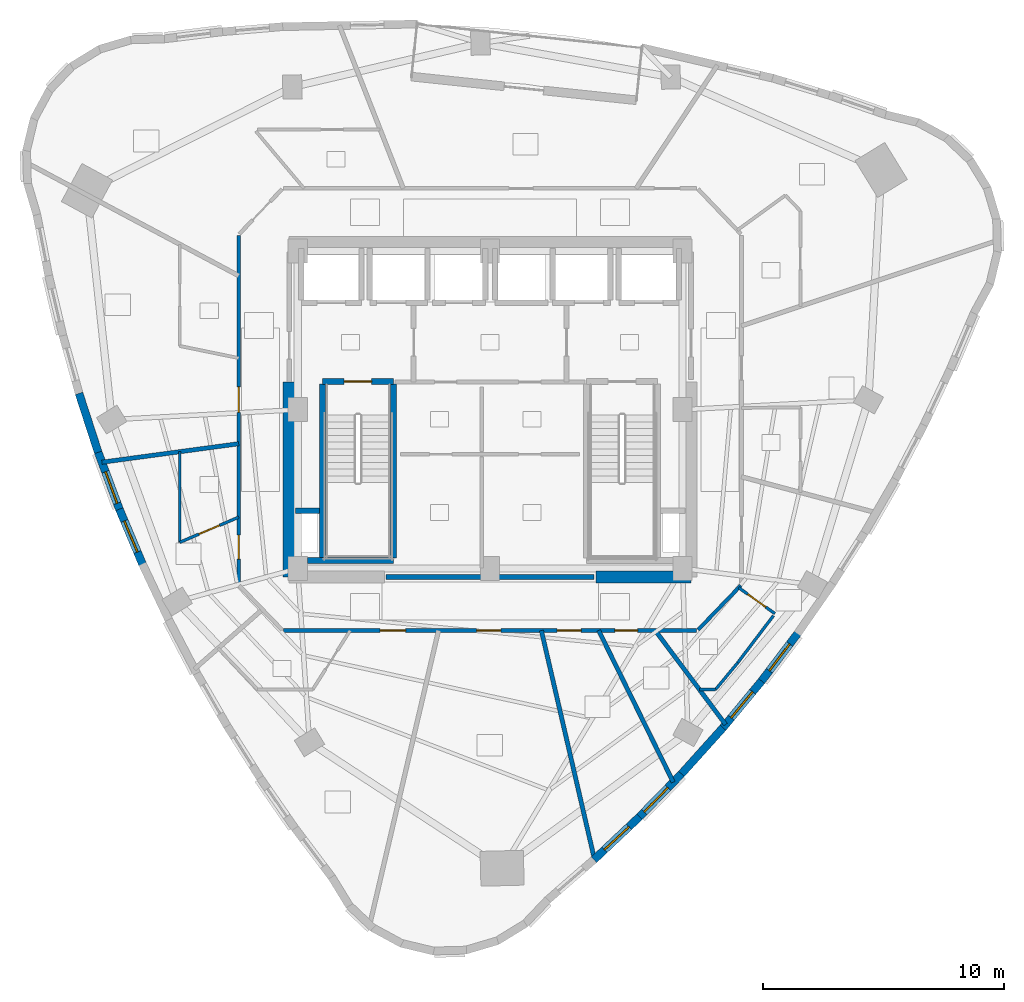
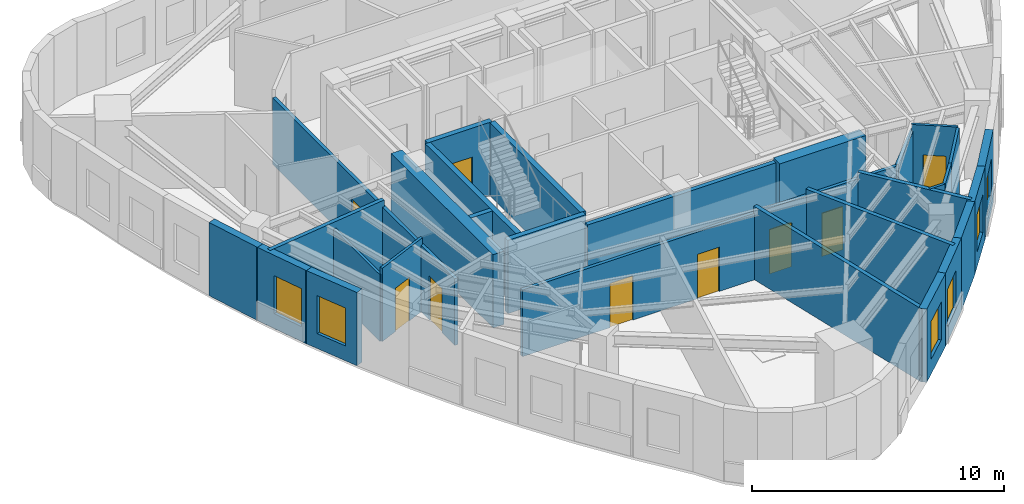
# One storey, part 5 of 11: 29 walls, 9 doors, 6 windows, 15 openings.
"""IFC4 building model written with IfcOpenShell, lengths in metres."""

from ifc_helpers import new_model, si_unit, direction, frame, frame_2d, origin, place, context, subcontext, project, spatial, rectangle, extrude, material, layer, layer_set, type_object, element, fill, save


model = new_model("IFC4")

# Units and contexts
model_context = context("Model", 3, precision=1e-05, world=origin(), true_north=direction((0.0, 1.0)))
body_context = subcontext(model_context, "Body", "Model", "MODEL_VIEW")
ifc_project = project(units=[si_unit("LENGTHUNIT", "METRE"), si_unit("AREAUNIT", "SQUARE_METRE"), si_unit("VOLUMEUNIT", "CUBIC_METRE"), si_unit("PLANEANGLEUNIT", "RADIAN"), si_unit("MASSUNIT", "GRAM", prefix="KILO")], contexts=[model_context])

# Site, building, storey
site_placement = place(None, origin())
site = spatial("IfcSite", under=ifc_project, at=site_placement, CompositionType="ELEMENT")
building_placement = place(site_placement, origin())
building = spatial("IfcBuilding", under=site, at=building_placement, Name="Ndelora Gate Hotel", CompositionType="ELEMENT")
storey_placement = place(building_placement, frame((0.0, 0.0, 186.550048828125)))
storey = spatial("IfcBuildingStorey", under=building, at=storey_placement, Name="L46", CompositionType="ELEMENT", Elevation=186.550048828125)

# Walls
ifc_material_1 = material(Name="Acoustic Double-Stud Gypsum Assembly", Category="gypsum")
ifc_layer_1 = layer(ifc_material_1, 0.179931640625)
ifc_layer_set_1 = layer_set([ifc_layer_1], Name="Acoustic Double-Stud Gypsum Assembly")
wall_type_1 = type_object("IfcWallType", Name="WL-ACOUST-180", PredefinedType="PARTITIONING", material=ifc_layer_set_1)
wall_1_placement = place(storey_placement, frame((6.866943359375, -9.179931640625, 0.0), z_axis=(0.0, 0.0, 1.0), x_axis=(0.598991453889, -0.800755417195, 0.0)))
element("IfcWall", 1, at=wall_1_placement, inside=storey, type_object=wall_type_1, Name="L46 Interior Wall IW-3", PredefinedType="PARTITIONING", context=body_context, shape_type="SweptSolid", body=[
    extrude(rectangle(XDim=4.882568359375, YDim=0.179931640625, at=frame_2d((2.44140625, 0.0))), origin(), (0.0, 0.0, 1.0), 3.550048828125),
])
wall_2_placement = place(storey_placement, frame((-10.449951171875, -1.41455078125, 0.0), z_axis=(0.0, 0.0, 1.0), x_axis=(-0.990963730959, -0.13413010074, 0.0)))
element("IfcWall", 2, at=wall_2_placement, inside=storey, type_object=wall_type_1, Name="L46 Interior Wall IW-3", PredefinedType="PARTITIONING", context=body_context, shape_type="SweptSolid", body=[
    extrude(rectangle(XDim=5.74072265625, YDim=0.179931640625, at=frame_2d((2.870361328125, 0.0))), origin(), (0.0, 0.0, 1.0), 3.550048828125),
])
wall_3_placement = place(storey_placement, frame((2.131591796875, -9.179931640625, 0.0), z_axis=(0.0, 0.0, 1.0), x_axis=(0.226196232917, -0.974081754379, 0.0)))
element("IfcWall", 3, at=wall_3_placement, inside=storey, type_object=wall_type_1, Name="L46 Interior Wall IW-3", PredefinedType="PARTITIONING", context=body_context, shape_type="SweptSolid", body=[
    extrude(rectangle(XDim=9.762451171875, YDim=0.179931640625, at=frame_2d((4.88134765625, 0.0))), origin(), (0.0, 0.0, 1.0), 3.550048828125),
])
wall_4_placement = place(storey_placement, frame((4.51416015625, -9.179931640625, 0.0), z_axis=(0.0, 0.0, 1.0), x_axis=(0.441285267702, -0.897366877319, 0.0)))
element("IfcWall", 4, at=wall_4_placement, inside=storey, type_object=wall_type_1, Name="L46 Interior Wall IW-3", PredefinedType="PARTITIONING", context=body_context, shape_type="SweptSolid", body=[
    extrude(rectangle(XDim=7.029052734375, YDim=0.179931640625, at=frame_2d((3.5146484375, 0.0))), origin(), (0.0, 0.0, 1.0), 3.550048828125),
])
ifc_material_2 = material(Name="Clay Brick Masonry", Category="masonry")
ifc_layer_2 = layer(ifc_material_2, 0.330078125)
ifc_layer_set_2 = layer_set([ifc_layer_2], Name="Clay Brick Masonry")
wall_type_2 = type_object("IfcWallType", Name="WL-BRICK-330", PredefinedType="SOLIDWALL", material=ifc_layer_set_2)
wall_5_placement = place(storey_placement, frame((-16.292724609375, -1.77392578125, 0.0), z_axis=(0.0, 0.0, 1.0), x_axis=(-0.309148141518, 0.951013894008, 0.0)))
element("IfcWall", 5, at=wall_5_placement, inside=storey, type_object=wall_type_2, Name="L46 Tower Brick Pier-and-Spandrel Wall TWR-12", PredefinedType="SOLIDWALL", context=body_context, shape_type="SweptSolid", body=[
    extrude(rectangle(XDim=2.579345703125, YDim=0.330078125, at=frame_2d((1.28955078125, 0.0))), origin(), (0.0, 0.0, 1.0), 3.550048828125),
])

# Wall, opening, window
wall_6_placement = place(storey_placement, frame((-15.4130859375, -4.135986328125, 0.0), z_axis=(0.0, 0.0, 1.0), x_axis=(-0.348582368666, 0.937278150954, 0.0)))
wall_6 = element("IfcWall", 6, at=wall_6_placement, inside=storey, type_object=wall_type_2, Name="L46 Tower Brick Pier-and-Spandrel Wall TWR-13", PredefinedType="SOLIDWALL", context=body_context, shape_type="SweptSolid", body=[
    extrude(rectangle(XDim=2.5703125, YDim=0.330078125, at=frame_2d((1.28515625, 0.0))), origin(), (0.0, 0.0, 1.0), 3.550048828125),
])
opening_1_placement = place(wall_6_placement, frame((0.260009765625, 0.0, 0.719970703125)))
opening_1 = element("IfcOpeningElement", 7, at=opening_1_placement, cuts=wall_6, Name="Opening W02", PredefinedType="OPENING", context=body_context, shape_type="SweptSolid", body=[
    extrude(rectangle(XDim=1.39990234375, YDim=1.840087890625, at=frame_2d((0.699951171875, 0.919921875))), frame((0.0, 0.175048828125, 0.0), z_axis=(0.0, -1.0, 0.0), x_axis=(1.0, 0.0, 0.0)), (0.0, 0.0, 1.0), 0.35009765625),
])
ifc_material_3 = material(Name="Insulated Low-E Double Glazing in Bronze Aluminium Frame", Category="aluminium")
window_type = type_object("IfcWindowType", Name="WN-DEEP-1400", PartitioningType="SINGLE_PANEL", PredefinedType="WINDOW", material=ifc_material_3)
window_1_placement = place(opening_1_placement, origin())
window_1 = element("IfcWindow", 8, at=window_1_placement, inside=storey, type_object=window_type, Name="L46 Deep-Set Brick-Pier Window W02", OverallHeight=1.840087890625, OverallWidth=1.39990234375, PartitioningType="SINGLE_PANEL", PredefinedType="WINDOW", context=body_context, shape_type="SweptSolid", body=[
    extrude(rectangle(XDim=1.39990234375, YDim=1.840087890625, at=frame_2d((0.699951171875, 0.919921875))), frame((0.0, 0.030029296875, 0.0), z_axis=(0.0, -1.0, 0.0), x_axis=(1.0, 0.0, 0.0)), (0.0, 0.0, 1.0), 0.06005859375),
])
fill(opening_1, window_1)

wall_7_placement = place(storey_placement, frame((-14.437255859375, -6.455078125, 0.0), z_axis=(0.0, 0.0, 1.0), x_axis=(-0.387525243304, 0.921859092162, 0.0)))
wall_7 = element("IfcWall", 9, at=wall_7_placement, inside=storey, type_object=wall_type_2, Name="L46 Tower Brick Pier-and-Spandrel Wall TWR-14", PredefinedType="SOLIDWALL", context=body_context, shape_type="SweptSolid", body=[
    extrude(rectangle(XDim=2.56591796875, YDim=0.330078125, at=frame_2d((1.282958984375, 0.0))), origin(), (0.0, 0.0, 1.0), 3.550048828125),
])
opening_2_placement = place(wall_7_placement, frame((0.5830078125, 0.0, 0.719970703125)))
opening_2 = element("IfcOpeningElement", 10, at=opening_2_placement, cuts=wall_7, Name="Opening W02", PredefinedType="OPENING", context=body_context, shape_type="SweptSolid", body=[
    extrude(rectangle(XDim=1.39990234375, YDim=1.840087890625, at=frame_2d((0.699951171875, 0.919921875))), frame((0.0, 0.175048828125, 0.0), z_axis=(0.0, -1.0, 0.0), x_axis=(1.0, 0.0, 0.0)), (0.0, 0.0, 1.0), 0.35009765625),
])
window_2_placement = place(opening_2_placement, origin())
window_2 = element("IfcWindow", 11, at=window_2_placement, inside=storey, type_object=window_type, Name="L46 Deep-Set Brick-Pier Window W02", OverallHeight=1.840087890625, OverallWidth=1.39990234375, PartitioningType="SINGLE_PANEL", PredefinedType="WINDOW", context=body_context, shape_type="SweptSolid", body=[
    extrude(rectangle(XDim=1.39990234375, YDim=1.840087890625, at=frame_2d((0.699951171875, 0.919921875))), frame((0.0, 0.030029296875, 0.0), z_axis=(0.0, -1.0, 0.0), x_axis=(1.0, 0.0, 0.0)), (0.0, 0.0, 1.0), 0.06005859375),
])
fill(opening_2, window_2)

wall_8_placement = place(storey_placement, frame((6.214599609375, -16.92236328125, 0.0), z_axis=(0.0, 0.0, 1.0), x_axis=(-0.72774946529, -0.685843069346, 0.0)))
wall_8 = element("IfcWall", 12, at=wall_8_placement, inside=storey, type_object=wall_type_2, Name="L46 Tower Brick Pier-and-Spandrel Wall TWR-30", PredefinedType="SOLIDWALL", context=body_context, shape_type="SweptSolid", body=[
    extrude(rectangle(XDim=2.60986328125, YDim=0.330078125, at=frame_2d((1.304931640625, 0.0))), origin(), (0.0, 0.0, 1.0), 3.550048828125),
])
opening_3_placement = place(wall_8_placement, frame((0.60498046875, 0.0, 0.719970703125)))
opening_3 = element("IfcOpeningElement", 13, at=opening_3_placement, cuts=wall_8, Name="Opening W02", PredefinedType="OPENING", context=body_context, shape_type="SweptSolid", body=[
    extrude(rectangle(XDim=1.39990234375, YDim=1.840087890625, at=frame_2d((0.699951171875, 0.919921875))), frame((0.0, 0.175048828125, 0.0), z_axis=(0.0, -1.0, 0.0), x_axis=(1.0, 0.0, 0.0)), (0.0, 0.0, 1.0), 0.35009765625),
])
window_3_placement = place(opening_3_placement, origin())
window_3 = element("IfcWindow", 14, at=window_3_placement, inside=storey, type_object=window_type, Name="L46 Deep-Set Brick-Pier Window W02", OverallHeight=1.840087890625, OverallWidth=1.39990234375, PartitioningType="SINGLE_PANEL", PredefinedType="WINDOW", context=body_context, shape_type="SweptSolid", body=[
    extrude(rectangle(XDim=1.39990234375, YDim=1.840087890625, at=frame_2d((0.699951171875, 0.919921875))), frame((0.0, 0.030029296875, 0.0), z_axis=(0.0, -1.0, 0.0), x_axis=(1.0, 0.0, 0.0)), (0.0, 0.0, 1.0), 0.06005859375),
])
fill(opening_3, window_3)

wall_9_placement = place(storey_placement, frame((7.9912109375, -15.103515625, 0.0), z_axis=(0.0, 0.0, 1.0), x_axis=(-0.699057723408, -0.71506524132, 0.0)))
wall_9 = element("IfcWall", 15, at=wall_9_placement, inside=storey, type_object=wall_type_2, Name="L46 Tower Brick Pier-and-Spandrel Wall TWR-31", PredefinedType="SOLIDWALL", context=body_context, shape_type="SweptSolid", body=[
    extrude(rectangle(XDim=2.5927734375, YDim=0.330078125, at=frame_2d((1.29638671875, 0.0))), origin(), (0.0, 0.0, 1.0), 3.550048828125),
])
opening_4_placement = place(wall_9_placement, frame((0.860107421875, 0.0, 0.719970703125)))
opening_4 = element("IfcOpeningElement", 16, at=opening_4_placement, cuts=wall_9, Name="Opening W02", PredefinedType="OPENING", context=body_context, shape_type="SweptSolid", body=[
    extrude(rectangle(XDim=1.39990234375, YDim=1.840087890625, at=frame_2d((0.699951171875, 0.919921875))), frame((0.0, 0.175048828125, 0.0), z_axis=(0.0, -1.0, 0.0), x_axis=(1.0, 0.0, 0.0)), (0.0, 0.0, 1.0), 0.35009765625),
])
window_4_placement = place(opening_4_placement, origin())
window_4 = element("IfcWindow", 17, at=window_4_placement, inside=storey, type_object=window_type, Name="L46 Deep-Set Brick-Pier Window W02", OverallHeight=1.840087890625, OverallWidth=1.39990234375, PartitioningType="SINGLE_PANEL", PredefinedType="WINDOW", context=body_context, shape_type="SweptSolid", body=[
    extrude(rectangle(XDim=1.39990234375, YDim=1.840087890625, at=frame_2d((0.699951171875, 0.919921875))), frame((0.0, 0.030029296875, 0.0), z_axis=(0.0, -1.0, 0.0), x_axis=(1.0, 0.0, 0.0)), (0.0, 0.0, 1.0), 0.06005859375),
])
fill(opening_4, window_4)

# Wall
wall_10_placement = place(storey_placement, frame((9.6826171875, -13.222900390625, 0.0), z_axis=(0.0, 0.0, 1.0), x_axis=(-0.668980419183, -0.743280027143, 0.0)))
element("IfcWall", 18, at=wall_10_placement, inside=storey, type_object=wall_type_2, Name="L46 Tower Brick Pier-and-Spandrel Wall TWR-32", PredefinedType="SOLIDWALL", context=body_context, shape_type="SweptSolid", body=[
    extrude(rectangle(XDim=2.579345703125, YDim=0.330078125, at=frame_2d((1.28955078125, 0.0))), origin(), (0.0, 0.0, 1.0), 3.550048828125),
])

# Wall, opening, window
wall_11_placement = place(storey_placement, frame((11.28857421875, -11.280029296875, 0.0), z_axis=(0.0, 0.0, 1.0), x_axis=(-0.637443312207, -0.77049725744, 0.0)))
wall_11 = element("IfcWall", 19, at=wall_11_placement, inside=storey, type_object=wall_type_2, Name="L46 Tower Brick Pier-and-Spandrel Wall TWR-33", PredefinedType="SOLIDWALL", context=body_context, shape_type="SweptSolid", body=[
    extrude(rectangle(XDim=2.57080078125, YDim=0.330078125, at=frame_2d((1.285400390625, 0.0))), origin(), (0.0, 0.0, 1.0), 3.550048828125),
])
opening_5_placement = place(wall_11_placement, frame((0.585205078125, 0.0, 0.719970703125)))
opening_5 = element("IfcOpeningElement", 20, at=opening_5_placement, cuts=wall_11, Name="Opening W02", PredefinedType="OPENING", context=body_context, shape_type="SweptSolid", body=[
    extrude(rectangle(XDim=1.39990234375, YDim=1.840087890625, at=frame_2d((0.699951171875, 0.919921875))), frame((0.0, 0.175048828125, 0.0), z_axis=(0.0, -1.0, 0.0), x_axis=(1.0, 0.0, 0.0)), (0.0, 0.0, 1.0), 0.35009765625),
])
window_5_placement = place(opening_5_placement, origin())
window_5 = element("IfcWindow", 21, at=window_5_placement, inside=storey, type_object=window_type, Name="L46 Deep-Set Brick-Pier Window W02", OverallHeight=1.840087890625, OverallWidth=1.39990234375, PartitioningType="SINGLE_PANEL", PredefinedType="WINDOW", context=body_context, shape_type="SweptSolid", body=[
    extrude(rectangle(XDim=1.39990234375, YDim=1.840087890625, at=frame_2d((0.699951171875, 0.919921875))), frame((0.0, 0.030029296875, 0.0), z_axis=(0.0, -1.0, 0.0), x_axis=(1.0, 0.0, 0.0)), (0.0, 0.0, 1.0), 0.06005859375),
])
fill(opening_5, window_5)

wall_12_placement = place(storey_placement, frame((12.80908203125, -9.275390625, 0.0), z_axis=(0.0, 0.0, 1.0), x_axis=(-0.604617593392, -0.796515891719, 0.0)))
wall_12 = element("IfcWall", 22, at=wall_12_placement, inside=storey, type_object=wall_type_2, Name="L46 Tower Brick Pier-and-Spandrel Wall TWR-34", PredefinedType="SOLIDWALL", context=body_context, shape_type="SweptSolid", body=[
    extrude(rectangle(XDim=2.566162109375, YDim=0.330078125, at=frame_2d((1.283203125, 0.0))), origin(), (0.0, 0.0, 1.0), 3.550048828125),
])
opening_6_placement = place(wall_12_placement, frame((0.5830078125, 0.0, 0.719970703125)))
opening_6 = element("IfcOpeningElement", 23, at=opening_6_placement, cuts=wall_12, Name="Opening W02", PredefinedType="OPENING", context=body_context, shape_type="SweptSolid", body=[
    extrude(rectangle(XDim=1.39990234375, YDim=1.840087890625, at=frame_2d((0.699951171875, 0.919921875))), frame((0.0, 0.175048828125, 0.0), z_axis=(0.0, -1.0, 0.0), x_axis=(1.0, 0.0, 0.0)), (0.0, 0.0, 1.0), 0.35009765625),
])
window_6_placement = place(opening_6_placement, origin())
window_6 = element("IfcWindow", 24, at=window_6_placement, inside=storey, type_object=window_type, Name="L46 Deep-Set Brick-Pier Window W02", OverallHeight=1.840087890625, OverallWidth=1.39990234375, PartitioningType="SINGLE_PANEL", PredefinedType="WINDOW", context=body_context, shape_type="SweptSolid", body=[
    extrude(rectangle(XDim=1.39990234375, YDim=1.840087890625, at=frame_2d((0.699951171875, 0.919921875))), frame((0.0, 0.030029296875, 0.0), z_axis=(0.0, -1.0, 0.0), x_axis=(1.0, 0.0, 0.0)), (0.0, 0.0, 1.0), 0.06005859375),
])
fill(opening_6, window_6)

# Walls
ifc_material_4 = material(Name="Concrete C50/60", Category="concrete")
ifc_layer_3 = layer(ifc_material_4, 0.5)
ifc_layer_set_3 = layer_set([ifc_layer_3], Name="Concrete C50/60")
wall_type_3 = type_object("IfcWallType", Name="WL-CORE-500", PredefinedType="SHEAR", material=ifc_layer_set_3)
wall_13_placement = place(storey_placement, frame((4.39990234375, -6.949951171875, 0.0), z_axis=(0.0, 0.0, 1.0), x_axis=(1.0, 0.0, 0.0)))
element("IfcWall", 25, at=wall_13_placement, inside=storey, type_object=wall_type_3, Name="L46 Core Shear Wall S-E", PredefinedType="SHEAR", context=body_context, shape_type="SweptSolid", body=[
    extrude(rectangle(XDim=3.9501953125, YDim=0.5, at=frame_2d((1.97509765625, 0.0))), origin(), (0.0, 0.0, 1.0), 3.550048828125),
])
wall_14_placement = place(storey_placement, frame((-8.35009765625, -6.949951171875, 0.0), z_axis=(0.0, 0.0, 1.0), x_axis=(0.0, 1.0, 0.0)))
element("IfcWall", 26, at=wall_14_placement, inside=storey, type_object=wall_type_3, Name="L46 Core Shear Wall W", PredefinedType="SHEAR", context=body_context, shape_type="SweptSolid", body=[
    extrude(rectangle(XDim=8.099853515625, YDim=0.5, at=frame_2d((4.0498046875, 0.0))), origin(), (0.0, 0.0, 1.0), 3.550048828125),
])
ifc_material_5 = material(Name="Concrete C40/50", Category="concrete")
ifc_layer_4 = layer(ifc_material_5, 0.199951171875)
ifc_layer_set_4 = layer_set([ifc_layer_4], Name="Concrete C40/50")
wall_type_4 = type_object("IfcWallType", Name="WL-FIRE-200", PredefinedType="PARTITIONING", material=ifc_layer_set_4)
wall_15_placement = place(storey_placement, frame((-4.320068359375, -6.949951171875, 0.0), z_axis=(0.0, 0.0, 1.0), x_axis=(1.0, 0.0, 0.0)))
element("IfcWall", 27, at=wall_15_placement, inside=storey, type_object=wall_type_4, Name="L46 Interior Wall IW-2", PredefinedType="PARTITIONING", context=body_context, shape_type="SweptSolid", body=[
    extrude(rectangle(XDim=8.64013671875, YDim=0.199951171875, at=frame_2d((4.320068359375, 0.0))), origin(), (0.0, 0.0, 1.0), 3.550048828125),
])

# Wall, openings, doors
ifc_material_6 = material(Name="Fire-Rated Gypsum Stud Partition", Category="gypsum")
ifc_layer_5 = layer(ifc_material_6, 0.14990234375)
ifc_layer_set_5 = layer_set([ifc_layer_5], Name="Fire-Rated Gypsum Stud Partition")
wall_type_5 = type_object("IfcWallType", Name="WL-PART-150", PredefinedType="PARTITIONING", material=ifc_layer_set_5)
wall_16_placement = place(storey_placement, frame((8.580078125, -9.179931640625, 0.0), z_axis=(0.0, 0.0, 1.0), x_axis=(-1.0, 0.0, 0.0)))
wall_16 = element("IfcWall", 28, at=wall_16_placement, inside=storey, type_object=wall_type_5, Name="L46 Interior Wall IW-5", PredefinedType="PARTITIONING", context=body_context, shape_type="SweptSolid", body=[
    extrude(rectangle(XDim=17.16015625, YDim=0.14990234375, at=frame_2d((8.580078125, 0.0))), origin(), (0.0, 0.0, 1.0), 3.22998046875),
])
opening_7_placement = place(wall_16_placement, frame((2.4443359375, 0.0, 0.0)))
opening_7 = element("IfcOpeningElement", 29, at=opening_7_placement, cuts=wall_16, Name="Opening D05", PredefinedType="OPENING", context=body_context, shape_type="SweptSolid", body=[
    extrude(rectangle(XDim=0.949951171875, YDim=2.10009765625, at=frame_2d((0.47509765625, 1.050048828125))), frame((0.0, 0.0849609375, 0.0), z_axis=(0.0, -1.0, 0.0), x_axis=(1.0, 0.0, 0.0)), (0.0, 0.0, 1.0), 0.169921875),
])
opening_8_placement = place(wall_16_placement, frame((4.7978515625, 0.0, 0.0)))
opening_8 = element("IfcOpeningElement", 30, at=opening_8_placement, cuts=wall_16, Name="Opening D01", PredefinedType="OPENING", context=body_context, shape_type="SweptSolid", body=[
    extrude(rectangle(XDim=1.0, YDim=2.14990234375, at=frame_2d((0.5, 1.074951171875))), frame((0.0, 0.0849609375, 0.0), z_axis=(0.0, -1.0, 0.0), x_axis=(1.0, 0.0, 0.0)), (0.0, 0.0, 1.0), 0.169921875),
])
opening_9_placement = place(wall_16_placement, frame((12.09619140625, 0.0, 0.0)))
opening_9 = element("IfcOpeningElement", 31, at=opening_9_placement, cuts=wall_16, Name="Opening D07", PredefinedType="OPENING", context=body_context, shape_type="SweptSolid", body=[
    extrude(rectangle(XDim=1.06005859375, YDim=2.14990234375, at=frame_2d((0.530029296875, 1.074951171875))), frame((0.0, 0.0849609375, 0.0), z_axis=(0.0, -1.0, 0.0), x_axis=(1.0, 0.0, 0.0)), (0.0, 0.0, 1.0), 0.169921875),
])
opening_10_placement = place(wall_16_placement, frame((8.13671875, 0.0, 0.0)))
opening_10 = element("IfcOpeningElement", 32, at=opening_10_placement, cuts=wall_16, Name="Opening D01", PredefinedType="OPENING", context=body_context, shape_type="SweptSolid", body=[
    extrude(rectangle(XDim=1.0, YDim=2.14990234375, at=frame_2d((0.5, 1.074951171875))), frame((0.0, 0.0849609375, 0.0), z_axis=(0.0, -1.0, 0.0), x_axis=(1.0, 0.0, 0.0)), (0.0, 0.0, 1.0), 0.169921875),
])
ifc_material_7 = material(Name="Accessible Restroom Wide-Clearance Door", Category="wood")
door_type_1 = type_object("IfcDoorType", Name="DR-ACC-950", OperationType="SINGLE_SWING_LEFT", PredefinedType="DOOR", material=ifc_material_7)
door_1_placement = place(opening_7_placement, origin())
door_1 = element("IfcDoor", 33, at=door_1_placement, inside=storey, type_object=door_type_1, Name="L46 Accessible WC Entrance Door", OperationType="SINGLE_SWING_RIGHT", OverallHeight=2.10009765625, OverallWidth=0.949951171875, PredefinedType="DOOR", context=body_context, shape_type="SweptSolid", body=[
    extrude(rectangle(XDim=0.949951171875, YDim=2.10009765625, at=frame_2d((0.47509765625, 1.050048828125))), frame((0.0, 0.02490234375, 0.0), z_axis=(0.0, -1.0, 0.0), x_axis=(1.0, 0.0, 0.0)), (0.0, 0.0, 1.0), 0.050048828125),
])
fill(opening_7, door_1)
ifc_material_8 = material(Name="Acoustic Hardwood Guest Entrance Door", Category="wood")
door_type_2 = type_object("IfcDoorType", Name="DR-COR-1000", OperationType="SINGLE_SWING_LEFT", PredefinedType="DOOR", material=ifc_material_8)
door_2_placement = place(opening_8_placement, origin())
door_2 = element("IfcDoor", 34, at=door_2_placement, inside=storey, type_object=door_type_2, Name="L46 Housekeeping and Linen Room Entrance Door", OperationType="SINGLE_SWING_RIGHT", OverallHeight=2.14990234375, OverallWidth=1.0, PredefinedType="DOOR", context=body_context, shape_type="SweptSolid", body=[
    extrude(rectangle(XDim=1.0, YDim=2.14990234375, at=frame_2d((0.5, 1.074951171875))), frame((0.0, 0.02490234375, 0.0), z_axis=(0.0, -1.0, 0.0), x_axis=(1.0, 0.0, 0.0)), (0.0, 0.0, 1.0), 0.050048828125),
])
fill(opening_8, door_2)
door_3_placement = place(opening_10_placement, origin())
door_3 = element("IfcDoor", 35, at=door_3_placement, inside=storey, type_object=door_type_2, Name="L46 Butler Service Kitchen Entrance Door", OperationType="SINGLE_SWING_LEFT", OverallHeight=2.14990234375, OverallWidth=1.0, PredefinedType="DOOR", context=body_context, shape_type="SweptSolid", body=[
    extrude(rectangle(XDim=1.0, YDim=2.14990234375, at=frame_2d((0.5, 1.074951171875))), frame((0.0, 0.02490234375, 0.0), z_axis=(0.0, -1.0, 0.0), x_axis=(1.0, 0.0, 0.0)), (0.0, 0.0, 1.0), 0.050048828125),
])
fill(opening_10, door_3)
ifc_material_9 = material(Name="Diplomatic Suite Acoustic Entrance Door", Category="wood")
door_type_3 = type_object("IfcDoorType", Name="DR-SUITE-1060", OperationType="SINGLE_SWING_LEFT", PredefinedType="DOOR", material=ifc_material_9)
door_4_placement = place(opening_9_placement, origin())
door_4 = element("IfcDoor", 36, at=door_4_placement, inside=storey, type_object=door_type_3, Name="L46 Executive Sky Suite 4907 Entrance Door", OperationType="SINGLE_SWING_RIGHT", OverallHeight=2.14990234375, OverallWidth=1.06005859375, PredefinedType="DOOR", context=body_context, shape_type="SweptSolid", body=[
    extrude(rectangle(XDim=1.06005859375, YDim=2.14990234375, at=frame_2d((0.530029296875, 1.074951171875))), frame((0.0, 0.02490234375, 0.0), z_axis=(0.0, -1.0, 0.0), x_axis=(1.0, 0.0, 0.0)), (0.0, 0.0, 1.0), 0.050048828125),
])
fill(opening_9, door_4)

# Wall
wall_17_placement = place(storey_placement, frame((10.42236328125, -7.308837890625, 0.0), z_axis=(0.0, 0.0, 1.0), x_axis=(-0.693764562202, -0.720201869085, 0.0)))
element("IfcWall", 37, at=wall_17_placement, inside=storey, type_object=wall_type_5, Name="L46 Interior Wall IW-5", PredefinedType="PARTITIONING", context=body_context, shape_type="SweptSolid", body=[
    extrude(rectangle(XDim=2.55810546875, YDim=0.14990234375, at=frame_2d((1.279052734375, 0.0))), origin(), (0.0, 0.0, 1.0), 3.22998046875),
])

# Wall, openings, doors
wall_18_placement = place(storey_placement, frame((-10.449951171875, -7.239990234375, 0.0), z_axis=(0.0, 0.0, 1.0), x_axis=(0.0, 1.0, 0.0)))
wall_18 = element("IfcWall", 38, at=wall_18_placement, inside=storey, type_object=wall_type_5, Name="L46 Interior Wall IW-5", PredefinedType="PARTITIONING", context=body_context, shape_type="SweptSolid", body=[
    extrude(rectangle(XDim=14.47998046875, YDim=0.14990234375, at=frame_2d((7.239990234375, 0.0))), origin(), (0.0, 0.0, 1.0), 3.22998046875),
])
opening_11_placement = place(wall_18_placement, frame((1.026123046875, 0.0, 0.0)))
opening_11 = element("IfcOpeningElement", 39, at=opening_11_placement, cuts=wall_18, Name="Opening D01", PredefinedType="OPENING", context=body_context, shape_type="SweptSolid", body=[
    extrude(rectangle(XDim=1.0, YDim=2.14990234375, at=frame_2d((0.5, 1.074951171875))), frame((0.0, 0.0849609375, 0.0), z_axis=(0.0, -1.0, 0.0), x_axis=(1.0, 0.0, 0.0)), (0.0, 0.0, 1.0), 0.169921875),
])
opening_12_placement = place(wall_18_placement, frame((7.1259765625, 0.0, 0.0)))
opening_12 = element("IfcOpeningElement", 40, at=opening_12_placement, cuts=wall_18, Name="Opening D07", PredefinedType="OPENING", context=body_context, shape_type="SweptSolid", body=[
    extrude(rectangle(XDim=1.06005859375, YDim=2.14990234375, at=frame_2d((0.530029296875, 1.074951171875))), frame((0.0, 0.0849609375, 0.0), z_axis=(0.0, -1.0, 0.0), x_axis=(1.0, 0.0, 0.0)), (0.0, 0.0, 1.0), 0.169921875),
])
door_5_placement = place(opening_11_placement, origin())
door_5 = element("IfcDoor", 41, at=door_5_placement, inside=storey, type_object=door_type_2, Name="L46 Altitude Deluxe Guest Room 4906 Entrance Door", OperationType="SINGLE_SWING_LEFT", OverallHeight=2.14990234375, OverallWidth=1.0, PredefinedType="DOOR", context=body_context, shape_type="SweptSolid", body=[
    extrude(rectangle(XDim=1.0, YDim=2.14990234375, at=frame_2d((0.5, 1.074951171875))), frame((0.0, 0.02490234375, 0.0), z_axis=(0.0, -1.0, 0.0), x_axis=(1.0, 0.0, 0.0)), (0.0, 0.0, 1.0), 0.050048828125),
])
fill(opening_11, door_5)
door_6_placement = place(opening_12_placement, origin())
door_6 = element("IfcDoor", 42, at=door_6_placement, inside=storey, type_object=door_type_3, Name="L46 Altitude Twin Suite 4905 Entrance Door", OperationType="SINGLE_SWING_LEFT", OverallHeight=2.14990234375, OverallWidth=1.06005859375, PredefinedType="DOOR", context=body_context, shape_type="SweptSolid", body=[
    extrude(rectangle(XDim=1.06005859375, YDim=2.14990234375, at=frame_2d((0.530029296875, 1.074951171875))), frame((0.0, 0.02490234375, 0.0), z_axis=(0.0, -1.0, 0.0), x_axis=(1.0, 0.0, 0.0)), (0.0, 0.0, 1.0), 0.050048828125),
])
fill(opening_12, door_6)

# Walls
ifc_layer_6 = layer(ifc_material_5, 0.219970703125)
ifc_layer_set_6 = layer_set([ifc_layer_6], Name="Concrete C40/50")
wall_type_6 = type_object("IfcWallType", Name="WL-SHAFT-220", PredefinedType="PARTITIONING", material=ifc_layer_set_6)
wall_19_placement = place(storey_placement, frame((-8.10009765625, -4.199951171875, 0.0), z_axis=(0.0, 0.0, 1.0), x_axis=(1.0, 0.0, 0.0)))
element("IfcWall", 43, at=wall_19_placement, inside=storey, type_object=wall_type_6, Name="L46 Interior Wall IW-1", PredefinedType="PARTITIONING", context=body_context, shape_type="SweptSolid", body=[
    extrude(rectangle(XDim=1.010009765625, YDim=0.219970703125, at=frame_2d((0.5048828125, 0.0))), origin(), (0.0, 0.0, 1.0), 3.550048828125),
])
ifc_layer_7 = layer(ifc_material_4, 0.239990234375)
ifc_layer_set_7 = layer_set([ifc_layer_7], Name="Concrete C50/60")
wall_type_7 = type_object("IfcWallType", Name="WL-STAIR-240", PredefinedType="SHEAR", material=ifc_layer_set_7)
wall_20_placement = place(storey_placement, frame((-6.969970703125, -6.159912109375, 0.0), z_axis=(0.0, 0.0, 1.0), x_axis=(0.0, 1.0, 0.0)))
element("IfcWall", 44, at=wall_20_placement, inside=storey, type_object=wall_type_7, Name="L46 Stair Core Shear Wall SW-ST", PredefinedType="SHEAR", context=body_context, shape_type="SweptSolid", body=[
    extrude(rectangle(XDim=7.219970703125, YDim=0.239990234375, at=frame_2d((3.60986328125, 0.0))), origin(), (0.0, 0.0, 1.0), 3.550048828125),
])
wall_21_placement = place(storey_placement, frame((-7.60009765625, -6.27001953125, 0.0), z_axis=(0.0, 0.0, 1.0), x_axis=(1.0, 0.0, 0.0)))
element("IfcWall", 45, at=wall_21_placement, inside=storey, type_object=wall_type_7, Name="L46 Stair Core Shear Wall SW-ST", PredefinedType="SHEAR", context=body_context, shape_type="SweptSolid", body=[
    extrude(rectangle(XDim=3.590087890625, YDim=0.239990234375, at=frame_2d((1.794921875, 0.0))), origin(), (0.0, 0.0, 1.0), 3.550048828125),
])
wall_22_placement = place(storey_placement, frame((-4.010009765625, -6.159912109375, 0.0), z_axis=(0.0, 0.0, 1.0), x_axis=(0.0, 1.0, 0.0)))
element("IfcWall", 46, at=wall_22_placement, inside=storey, type_object=wall_type_7, Name="L46 Stair Core Shear Wall SW-ST", PredefinedType="SHEAR", context=body_context, shape_type="SweptSolid", body=[
    extrude(rectangle(XDim=7.219970703125, YDim=0.239990234375, at=frame_2d((3.60986328125, 0.0))), origin(), (0.0, 0.0, 1.0), 3.550048828125),
])

# Wall, opening, door
wall_23_placement = place(storey_placement, frame((-6.969970703125, 1.169921875, 0.0), z_axis=(0.0, 0.0, 1.0), x_axis=(1.0, 0.0, 0.0)))
wall_23 = element("IfcWall", 47, at=wall_23_placement, inside=storey, type_object=wall_type_7, Name="L46 Stair Core Shear Wall SW-ST", PredefinedType="SHEAR", context=body_context, shape_type="SweptSolid", body=[
    extrude(rectangle(XDim=2.9599609375, YDim=0.239990234375, at=frame_2d((1.47998046875, 0.0))), origin(), (0.0, 0.0, 1.0), 3.550048828125),
])
opening_13_placement = place(wall_23_placement, frame((0.89990234375, 0.0, 0.0)))
opening_13 = element("IfcOpeningElement", 48, at=opening_13_placement, cuts=wall_23, Name="Opening FD1", PredefinedType="OPENING", context=body_context, shape_type="SweptSolid", body=[
    extrude(rectangle(XDim=1.14990234375, YDim=2.14990234375, at=frame_2d((0.574951171875, 1.074951171875))), frame((0.0, 0.1298828125, 0.0), z_axis=(0.0, -1.0, 0.0), x_axis=(1.0, 0.0, 0.0)), (0.0, 0.0, 1.0), 0.260009765625),
])
ifc_material_10 = material(Name="Fire-Rated Timber-Veneer Steel Core", Category="steel")
door_type_4 = type_object("IfcDoorType", Name="DR-FD60", OperationType="SINGLE_SWING_LEFT", PredefinedType="DOOR", material=ifc_material_10)
door_7_placement = place(opening_13_placement, origin())
door_7 = element("IfcDoor", 49, at=door_7_placement, inside=storey, type_object=door_type_4, Name="L46 Exit Stair ST4 Door", OperationType="SINGLE_SWING_LEFT", OverallHeight=2.14990234375, OverallWidth=1.14990234375, PredefinedType="DOOR", context=body_context, shape_type="SweptSolid", body=[
    extrude(rectangle(XDim=1.14990234375, YDim=2.14990234375, at=frame_2d((0.574951171875, 1.074951171875))), frame((0.0, 0.02490234375, 0.0), z_axis=(0.0, -1.0, 0.0), x_axis=(1.0, 0.0, 0.0)), (0.0, 0.0, 1.0), 0.050048828125),
])
fill(opening_13, door_7)

ifc_material_11 = material(Name="Moisture-Resistant Bathroom Tile Partition", Category="gypsum")
ifc_layer_8 = layer(ifc_material_11, 0.1201171875)
ifc_layer_set_8 = layer_set([ifc_layer_8], Name="Moisture-Resistant Bathroom Tile Partition")
wall_type_8 = type_object("IfcWallType", Name="WL-WET-120", PredefinedType="PARTITIONING", material=ifc_layer_set_8)
wall_24_placement = place(storey_placement, frame((10.3349609375, -7.3994140625, 0.0), z_axis=(0.0, 0.0, 1.0), x_axis=(0.813020012063, -0.582235742621, 0.0)))
wall_24 = element("IfcWall", 50, at=wall_24_placement, inside=storey, type_object=wall_type_8, Name="L46 Interior Wall IW-7", PredefinedType="PARTITIONING", context=body_context, shape_type="SweptSolid", body=[
    extrude(rectangle(XDim=1.851318359375, YDim=0.1201171875, at=frame_2d((0.92578125, 0.0))), origin(), (0.0, 0.0, 1.0), 3.550048828125),
])
opening_14_placement = place(wall_24_placement, frame((0.4658203125, 0.0, 0.0)))
opening_14 = element("IfcOpeningElement", 51, at=opening_14_placement, cuts=wall_24, Name="Opening D03", PredefinedType="OPENING", context=body_context, shape_type="SweptSolid", body=[
    extrude(rectangle(XDim=0.919921875, YDim=2.10009765625, at=frame_2d((0.4599609375, 1.050048828125))), frame((0.0, 0.070068359375, 0.0), z_axis=(0.0, -1.0, 0.0), x_axis=(1.0, 0.0, 0.0)), (0.0, 0.0, 1.0), 0.14013671875),
])
ifc_material_12 = material(Name="Moisture-Resistant Hardwood En-Suite Door", Category="wood")
door_type_5 = type_object("IfcDoorType", Name="DR-BATH-920", OperationType="SINGLE_SWING_LEFT", PredefinedType="DOOR", material=ifc_material_12)
door_8_placement = place(opening_14_placement, origin())
door_8 = element("IfcDoor", 52, at=door_8_placement, inside=storey, type_object=door_type_5, Name="L46 En-suite Bathroom 4901 Door", OperationType="SINGLE_SWING_RIGHT", OverallHeight=2.10009765625, OverallWidth=0.919921875, PredefinedType="DOOR", context=body_context, shape_type="SweptSolid", body=[
    extrude(rectangle(XDim=0.919921875, YDim=2.10009765625, at=frame_2d((0.4599609375, 1.050048828125))), frame((0.0, 0.02490234375, 0.0), z_axis=(0.0, -1.0, 0.0), x_axis=(1.0, 0.0, 0.0)), (0.0, 0.0, 1.0), 0.050048828125),
])
fill(opening_14, door_8)

# Walls
wall_25_placement = place(storey_placement, frame((10.292724609375, -10.522705078125, 0.0), z_axis=(0.0, 0.0, 1.0), x_axis=(0.604651038728, 0.796490502998, 0.0)))
element("IfcWall", 53, at=wall_25_placement, inside=storey, type_object=wall_type_8, Name="L46 Interior Wall IW-7", PredefinedType="PARTITIONING", context=body_context, shape_type="SweptSolid", body=[
    extrude(rectangle(XDim=2.4638671875, YDim=0.1201171875, at=frame_2d((1.23193359375, 0.0))), origin(), (0.0, 0.0, 1.0), 3.550048828125),
])
wall_26_placement = place(storey_placement, frame((9.376708984375, -11.6298828125, 0.0), z_axis=(0.0, 0.0, 1.0), x_axis=(0.63745644053, 0.770486396003, 0.0)))
element("IfcWall", 54, at=wall_26_placement, inside=storey, type_object=wall_type_8, Name="L46 Interior Wall IW-7", PredefinedType="PARTITIONING", context=body_context, shape_type="SweptSolid", body=[
    extrude(rectangle(XDim=1.43701171875, YDim=0.1201171875, at=frame_2d((0.718505859375, 0.0))), origin(), (0.0, 0.0, 1.0), 3.550048828125),
])
wall_27_placement = place(storey_placement, frame((8.69970703125, -11.6298828125, 0.0), z_axis=(0.0, 0.0, 1.0), x_axis=(1.0, 0.0, 0.0)))
element("IfcWall", 55, at=wall_27_placement, inside=storey, type_object=wall_type_8, Name="L46 Interior Wall IW-7", PredefinedType="PARTITIONING", context=body_context, shape_type="SweptSolid", body=[
    extrude(rectangle(XDim=0.677001953125, YDim=0.1201171875, at=frame_2d((0.33837890625, 0.0))), origin(), (0.0, 0.0, 1.0), 3.550048828125),
])

# Wall, opening, door
wall_28_placement = place(storey_placement, frame((-10.449951171875, -4.466796875, 0.0), z_axis=(0.0, 0.0, 1.0), x_axis=(-0.919533231313, -0.39301226, 0.0)))
wall_28 = element("IfcWall", 56, at=wall_28_placement, inside=storey, type_object=wall_type_8, Name="L46 Interior Wall IW-7", PredefinedType="PARTITIONING", context=body_context, shape_type="SweptSolid", body=[
    extrude(rectangle(XDim=2.664306640625, YDim=0.1201171875, at=frame_2d((1.33203125, 0.0))), origin(), (0.0, 0.0, 1.0), 3.550048828125),
])
opening_15_placement = place(wall_28_placement, frame((0.872314453125, 0.0, 0.0)))
opening_15 = element("IfcOpeningElement", 57, at=opening_15_placement, cuts=wall_28, Name="Opening D03", PredefinedType="OPENING", context=body_context, shape_type="SweptSolid", body=[
    extrude(rectangle(XDim=0.919921875, YDim=2.10009765625, at=frame_2d((0.4599609375, 1.050048828125))), frame((0.0, 0.070068359375, 0.0), z_axis=(0.0, -1.0, 0.0), x_axis=(1.0, 0.0, 0.0)), (0.0, 0.0, 1.0), 0.14013671875),
])
door_9_placement = place(opening_15_placement, origin())
door_9 = element("IfcDoor", 58, at=door_9_placement, inside=storey, type_object=door_type_5, Name="L46 En-suite Bathroom 4906 Door", OperationType="SINGLE_SWING_LEFT", OverallHeight=2.10009765625, OverallWidth=0.919921875, PredefinedType="DOOR", context=body_context, shape_type="SweptSolid", body=[
    extrude(rectangle(XDim=0.919921875, YDim=2.10009765625, at=frame_2d((0.4599609375, 1.050048828125))), frame((0.0, 0.02490234375, 0.0), z_axis=(0.0, -1.0, 0.0), x_axis=(1.0, 0.0, 0.0)), (0.0, 0.0, 1.0), 0.050048828125),
])
fill(opening_15, door_9)

# Wall
wall_29_placement = place(storey_placement, frame((-12.89990234375, -1.74609375, 0.0), z_axis=(0.0, 0.0, 1.0), x_axis=(0.0, -1.0, 0.0)))
element("IfcWall", 59, at=wall_29_placement, inside=storey, type_object=wall_type_8, Name="L46 Interior Wall IW-7", PredefinedType="PARTITIONING", context=body_context, shape_type="SweptSolid", body=[
    extrude(rectangle(XDim=3.767822265625, YDim=0.1201171875, at=frame_2d((1.8837890625, 0.0))), origin(), (0.0, 0.0, 1.0), 3.22998046875),
])

save(model, "model.ifc")
